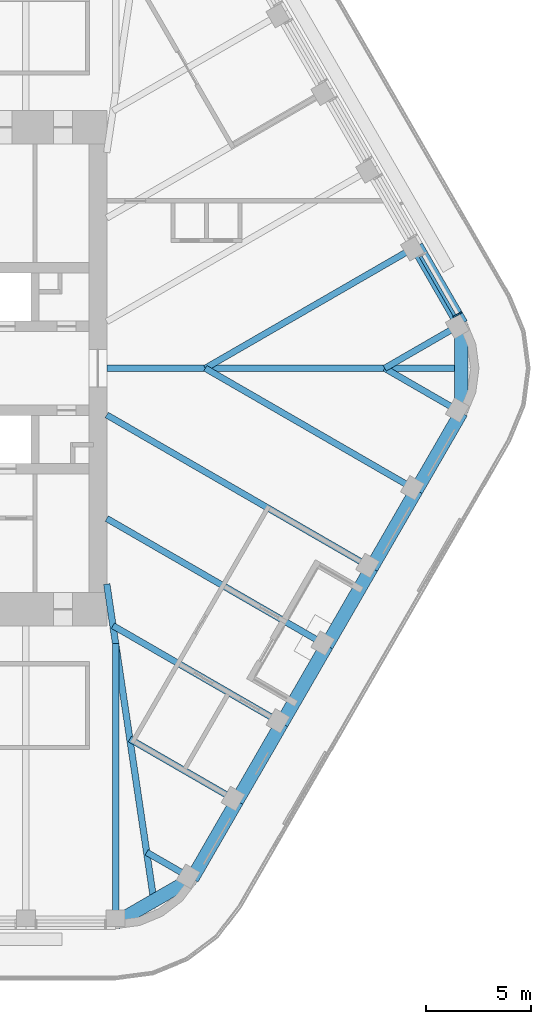
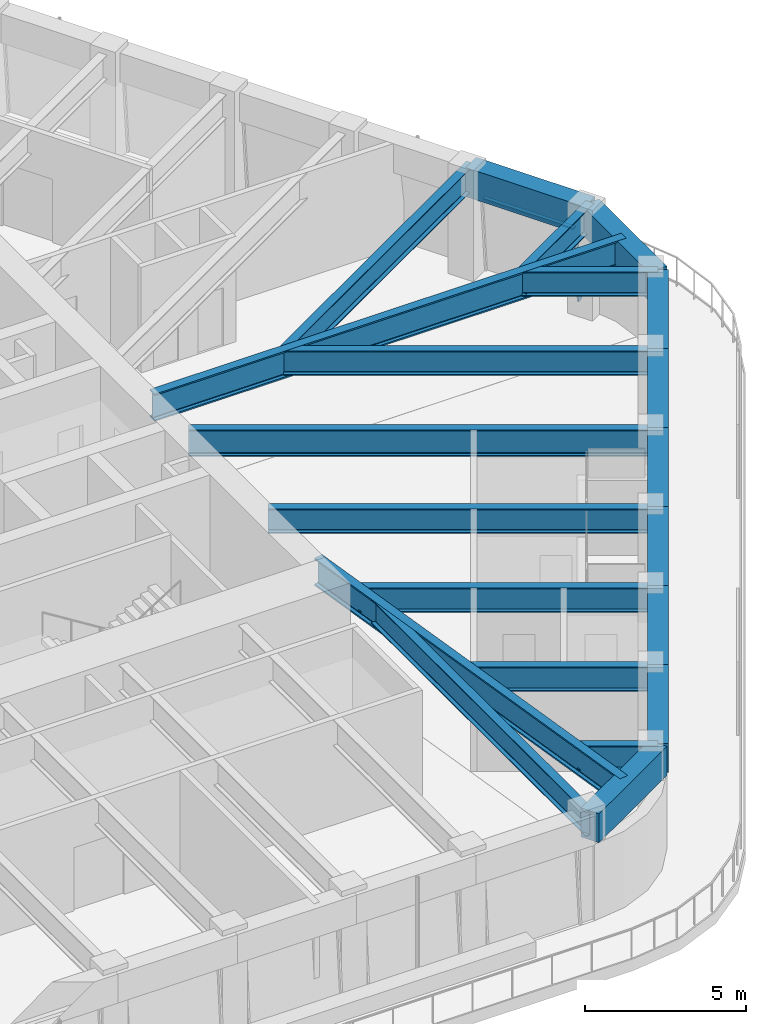
# One storey, part 5 of 19: 21 beams, 2 members, 1 element without a shape of its own.
"""IFC4 building model written with IfcOpenShell, lengths in metres."""

from ifc_helpers import new_model, si_unit, direction, frame, origin, origin_2d, place, context, subcontext, project, spatial, rectangle, i_section, extrude, material, material_profile, profile_set, type_object, element, aggregate, save


model = new_model("IFC4")

# Units and contexts
model_context = context("Model", 3, precision=1e-05, world=origin(), true_north=direction((0.0, 1.0)))
body_context = subcontext(model_context, "Body", "Model", "MODEL_VIEW")
ifc_project = project(units=[si_unit("LENGTHUNIT", "METRE"), si_unit("AREAUNIT", "SQUARE_METRE"), si_unit("VOLUMEUNIT", "CUBIC_METRE"), si_unit("PLANEANGLEUNIT", "RADIAN"), si_unit("MASSUNIT", "GRAM", prefix="KILO")], contexts=[model_context])

# Site, building, storey
site_placement = place(None, origin())
site = spatial("IfcSite", under=ifc_project, at=site_placement, CompositionType="ELEMENT")
building_placement = place(site_placement, origin())
building = spatial("IfcBuilding", under=site, at=building_placement, Name="Tarfa Lantern Tower", CompositionType="ELEMENT")
storey_placement = place(building_placement, frame((0.0, 0.0, 353.5)))
storey = spatial("IfcBuildingStorey", under=building, at=storey_placement, Name="L80", CompositionType="ELEMENT", Elevation=353.5)

# Curtain wall, members
ifc_material_1 = material(Name="Aluminium framed curtain wall", Category="aluminium")
curtain_wall_type = type_object("IfcCurtainWallType", Name="CW4 CANTED GLAZING EXECUTIVE ZONE 2900", PredefinedType="USERDEFINED", material=ifc_material_1)
curtain_wall_placement = place(storey_placement, origin())
curtain_wall = element("IfcCurtainWall", 1, at=curtain_wall_placement, inside=storey, type_object=curtain_wall_type, Name="CW4 NE L80", ObjectType="CURTAIN WALL", PredefinedType="USERDEFINED")
ifc_material_2 = material(Name="Aluminium mullion", Category="aluminium")
ifc_material_profile_1 = material_profile(ifc_material_2, rectangle(XDim=0.06494140625, YDim=0.199951171875, at=origin_2d()), Name="AL MULLION 65x200")
ifc_profile_set_1 = profile_set([ifc_material_profile_1], Name="Aluminium mullion")
member_type_1 = type_object("IfcMemberType", Name="CWM1 MULLION 65x200", PredefinedType="MULLION", material=ifc_profile_set_1)
member_1_placement = place(storey_placement, frame((29.26123046875, 2.617919921875, 0.0), z_axis=(-0.074316405553, -0.042945823525, 0.996309554359), x_axis=(0.500342721131, -0.865827443207, 0.0)))
member_1 = element("IfcMember", 2, at=member_1_placement, type_object=member_type_1, Name="CW4 mullion 1", PredefinedType="MULLION", context=body_context, shape_type="SweptSolid", body=[
    extrude(rectangle(XDim=0.06494140625, YDim=0.199951171875, at=origin_2d()), origin(), (0.0, 0.0, 1.0), 2.91064453125),
])
ifc_material_3 = material(Name="Aluminium transom", Category="aluminium")
ifc_material_profile_2 = material_profile(ifc_material_3, rectangle(XDim=0.14990234375, YDim=0.06494140625, at=origin_2d()), Name="AL TRANSOM 150x65")
ifc_profile_set_2 = profile_set([ifc_material_profile_2], Name="Aluminium transom")
member_type_2 = type_object("IfcMemberType", Name="CWT1 TRANSOM 150x65", PredefinedType="USERDEFINED", material=ifc_profile_set_2)
member_2_placement = place(storey_placement, frame((29.031005859375, 2.5224609375, 2.867431640625), z_axis=(-0.500014901547, 0.866016800201, 0.0), x_axis=(-0.866016800201, -0.500014901547, 0.0)))
member_2 = element("IfcMember", 3, at=member_2_placement, type_object=member_type_2, Name="CW4 transom 1.2", ObjectType="TRANSOM", PredefinedType="USERDEFINED", context=body_context, shape_type="SweptSolid", body=[
    extrude(rectangle(XDim=0.14990234375, YDim=0.06494140625, at=origin_2d()), origin(), (0.0, 0.0, 1.0), 3.251953125),
])
aggregate(curtain_wall, [member_1, member_2])

# Beams
ifc_material_4 = material(Name="Concrete C80/95", Category="concrete")
ifc_material_profile_3 = material_profile(ifc_material_4, rectangle(XDim=0.64990234375, YDim=1.10009765625, at=origin_2d()), Name="RC 650x1100")
ifc_profile_set_3 = profile_set([ifc_material_profile_3], Name="Concrete C80/95")
beam_type_1 = type_object("IfcBeamType", Name="EB4 RC 650x1100", PredefinedType="SPANDREL", material=ifc_profile_set_3)
beam_1_placement = place(storey_placement, frame((29.3466796875, 2.110107421875, 3.449951171875), z_axis=(-0.499984039138, 0.866034618596, 0.0), x_axis=(-0.866034618596, -0.499984039138, 0.0)))
element("IfcBeam", 4, at=beam_1_placement, inside=storey, type_object=beam_type_1, Name="Edge beam NE0", PredefinedType="SPANDREL", context=body_context, shape_type="SweptSolid", body=[
    extrude(rectangle(XDim=0.64990234375, YDim=1.10009765625, at=origin_2d()), origin(), (0.0, 0.0, 1.0), 4.281982421875),
])
beam_2_placement = place(storey_placement, frame((12.845947265625, -26.469970703125, 3.449951171875), z_axis=(0.866048788483, 0.499959494327, 0.0), x_axis=(-0.499959494327, 0.866048788483, 0.0)))
element("IfcBeam", 5, at=beam_2_placement, inside=storey, type_object=beam_type_1, Name="Edge beam S6", PredefinedType="SPANDREL", context=body_context, shape_type="SweptSolid", body=[
    extrude(rectangle(XDim=0.64990234375, YDim=1.10009765625, at=origin_2d()), origin(), (0.0, 0.0, 1.0), 4.219970703125),
])
for number, where, z_axis, x_axis, name in (
    (6, (16.500732421875, -24.360107421875, 3.449951171875), (0.499959351497, 0.866048870937, 0.0), (-0.866048870937, 0.499959351497, 0.0), "Edge beam SE0"),
    (7, (18.6416015625, -20.651611328125, 3.449951171875), (0.500026801138, 0.866009929587, 0.0), (-0.866009929587, 0.500026801138, 0.0), "Edge beam SE1"),
    (8, (20.78271484375, -16.943359375, 3.449951171875), (0.499984039138, 0.866034618596, 0.0), (-0.866034618596, 0.499984039138, 0.0), "Edge beam SE2"),
):
    element("IfcBeam", number, at=place(storey_placement, frame(where, z_axis=z_axis, x_axis=x_axis)), inside=storey, type_object=beam_type_1, Name=name, PredefinedType="SPANDREL", context=body_context, shape_type="SweptSolid", body=[
        extrude(rectangle(XDim=0.64990234375, YDim=1.10009765625, at=origin_2d()), origin(), (0.0, 0.0, 1.0), 4.281982421875),
    ])
beam_3_placement = place(storey_placement, frame((22.923583984375, -13.235107421875, 3.449951171875), z_axis=(0.500002112793, 0.866024183959, 0.0), x_axis=(-0.866024183959, 0.500002112793, 0.0)))
element("IfcBeam", 9, at=beam_3_placement, inside=storey, type_object=beam_type_1, Name="Edge beam SE3", PredefinedType="SPANDREL", context=body_context, shape_type="SweptSolid", body=[
    extrude(rectangle(XDim=0.64990234375, YDim=1.10009765625, at=origin_2d()), origin(), (0.0, 0.0, 1.0), 4.2822265625),
])
for number, where, z_axis, x_axis, name in (
    (10, (25.064697265625, -9.526611328125, 3.449951171875), (0.500026801138, 0.866009929587, 0.0), (-0.866009929587, 0.500026801138, 0.0), "Edge beam SE4"),
    (11, (27.205810546875, -5.818359375, 3.449951171875), (0.499984039138, 0.866034618596, 0.0), (-0.866034618596, 0.499984039138, 0.0), "Edge beam SE5"),
):
    element("IfcBeam", number, at=place(storey_placement, frame(where, z_axis=z_axis, x_axis=x_axis)), inside=storey, type_object=beam_type_1, Name=name, PredefinedType="SPANDREL", context=body_context, shape_type="SweptSolid", body=[
        extrude(rectangle(XDim=0.64990234375, YDim=1.10009765625, at=origin_2d()), origin(), (0.0, 0.0, 1.0), 4.281982421875),
    ])
beam_4_placement = place(storey_placement, frame((29.3466796875, -2.110107421875, 3.449951171875), z_axis=(0.0, 1.0, 0.0), x_axis=(-1.0, 0.0, 0.0)))
element("IfcBeam", 12, at=beam_4_placement, inside=storey, type_object=beam_type_1, Name="Edge beam SE6", PredefinedType="SPANDREL", context=body_context, shape_type="SweptSolid", body=[
    extrude(rectangle(XDim=0.64990234375, YDim=1.10009765625, at=origin_2d()), origin(), (0.0, 0.0, 1.0), 4.22021484375),
])
ifc_material_5 = material(Name="Steel S460M", Category="steel")
ifc_material_profile_4 = material_profile(ifc_material_5, i_section(OverallWidth=0.302001953125, OverallDepth=1.008056640625, WebThickness=0.02099609375, FlangeThickness=0.0400390625, FilletRadius=0.030029296875, at=origin_2d()), Name="UB1016x305x349")
ifc_profile_set_4 = profile_set([ifc_material_profile_4], Name="Steel S460M")
beam_type_2 = type_object("IfcBeamType", Name="UB1016x305x349", PredefinedType="BEAM", material=ifc_profile_set_4)
beam_5_placement = place(storey_placement, frame((25.064697265625, -9.526611328125, 3.495849609375), z_axis=(-0.866029591389, 0.499992746786, 0.0), x_axis=(-0.499992746786, -0.866029591389, 0.0)))
element("IfcBeam", 13, at=beam_5_placement, inside=storey, type_object=beam_type_2, Name="Floor beam SE4", PredefinedType="BEAM", context=body_context, shape_type="SweptSolid", body=[
    extrude(i_section(OverallWidth=0.302001953125, OverallDepth=1.008056640625, WebThickness=0.02099609375, FlangeThickness=0.0400390625, FilletRadius=0.030029296875, at=origin_2d()), origin(), (0.0, 0.0, 1.0), 14.594970703125),
])
ifc_material_profile_5 = material_profile(ifc_material_5, i_section(OverallWidth=0.30859375, OverallDepth=1.036376953125, WebThickness=0.030029296875, FlangeThickness=0.05419921875, FilletRadius=0.030029296875, at=origin_2d()), Name="UB1016x305x487")
ifc_profile_set_5 = profile_set([ifc_material_profile_5], Name="Steel S460M")
beam_type_3 = type_object("IfcBeamType", Name="UB1016x305x487", PredefinedType="BEAM", material=ifc_profile_set_5)
beam_6_placement = place(storey_placement, frame((12.425048828125, 0.0, 3.48193359375), z_axis=(1.0, 0.0, 0.0), x_axis=(0.0, 1.0, 0.0)))
element("IfcBeam", 14, at=beam_6_placement, inside=storey, type_object=beam_type_3, Name="Hip girder E", PredefinedType="BEAM", context=body_context, shape_type="SweptSolid", body=[
    extrude(i_section(OverallWidth=0.30859375, OverallDepth=1.036376953125, WebThickness=0.030029296875, FlangeThickness=0.05419921875, FilletRadius=0.030029296875, at=origin_2d()), origin(), (0.0, 0.0, 1.0), 16.921630859375),
])
beam_7_placement = place(storey_placement, frame((12.425048828125, -10.300048828125, 3.48193359375), z_axis=(0.147127069073, -0.989117599452, 0.0), x_axis=(0.989117599452, 0.147127069073, 0.0)))
element("IfcBeam", 15, at=beam_7_placement, inside=storey, type_object=beam_type_3, Name="Hip girder SE", PredefinedType="BEAM", context=body_context, shape_type="SweptSolid", body=[
    extrude(i_section(OverallWidth=0.30859375, OverallDepth=1.036376953125, WebThickness=0.030029296875, FlangeThickness=0.05419921875, FilletRadius=0.030029296875, at=origin_2d()), origin(), (0.0, 0.0, 1.0), 15.28125),
])
ifc_material_profile_6 = material_profile(ifc_material_5, i_section(OverallWidth=0.305419921875, OverallDepth=0.91845703125, WebThickness=0.017333984375, FlangeThickness=0.02783203125, FilletRadius=0.01904296875, at=origin_2d()), Name="UB914x305x253")
ifc_profile_set_6 = profile_set([ifc_material_profile_6], Name="Steel S460M")
beam_type_4 = type_object("IfcBeamType", Name="UB914x305x253", PredefinedType="BEAM", material=ifc_profile_set_6)
beam_8_placement = place(storey_placement, frame((29.3466796875, 2.110107421875, 3.540771484375), z_axis=(-0.866009274789, -0.500027935199, 0.0), x_axis=(0.500027935199, -0.866009274789, 0.0)))
element("IfcBeam", 16, at=beam_8_placement, inside=storey, type_object=beam_type_4, Name="Floor beam NE0", PredefinedType="BEAM", context=body_context, shape_type="SweptSolid", body=[
    extrude(i_section(OverallWidth=0.305419921875, OverallDepth=0.91845703125, WebThickness=0.017333984375, FlangeThickness=0.02783203125, FilletRadius=0.01904296875, at=origin_2d()), origin(), (0.0, 0.0, 1.0), 4.219970703125),
])
beam_9_placement = place(storey_placement, frame((27.205810546875, 5.818359375, 3.540771484375), z_axis=(-0.866024171998, -0.500002133511, 0.0), x_axis=(0.500002133511, -0.866024171998, 0.0)))
element("IfcBeam", 17, at=beam_9_placement, inside=storey, type_object=beam_type_4, Name="Floor beam NE1", PredefinedType="BEAM", context=body_context, shape_type="SweptSolid", body=[
    extrude(i_section(OverallWidth=0.305419921875, OverallDepth=0.91845703125, WebThickness=0.017333984375, FlangeThickness=0.02783203125, FilletRadius=0.01904296875, at=origin_2d()), origin(), (0.0, 0.0, 1.0), 11.63671875),
])
beam_10_placement = place(storey_placement, frame((12.845947265625, -26.469970703125, 3.540771484375), z_axis=(0.0, 1.0, 0.0), x_axis=(-1.0, 0.0, 0.0)))
element("IfcBeam", 18, at=beam_10_placement, inside=storey, type_object=beam_type_4, Name="Floor beam S6", PredefinedType="BEAM", context=body_context, shape_type="SweptSolid", body=[
    extrude(i_section(OverallWidth=0.305419921875, OverallDepth=0.91845703125, WebThickness=0.017333984375, FlangeThickness=0.02783203125, FilletRadius=0.01904296875, at=origin_2d()), origin(), (0.0, 0.0, 1.0), 13.33935546875),
])
beam_11_placement = place(storey_placement, frame((16.500732421875, -24.360107421875, 3.540771484375), z_axis=(-0.865992557167, 0.500056887695, 0.0), x_axis=(-0.500056887695, -0.865992557167, 0.0)))
element("IfcBeam", 19, at=beam_11_placement, inside=storey, type_object=beam_type_4, Name="Floor beam SE0", PredefinedType="BEAM", context=body_context, shape_type="SweptSolid", body=[
    extrude(i_section(OverallWidth=0.305419921875, OverallDepth=0.91845703125, WebThickness=0.017333984375, FlangeThickness=0.02783203125, FilletRadius=0.01904296875, at=origin_2d()), origin(), (0.0, 0.0, 1.0), 2.506591796875),
])
beam_12_placement = place(storey_placement, frame((18.6416015625, -20.651611328125, 3.540771484375), z_axis=(-0.866024549157, 0.500001480256, 0.0), x_axis=(-0.500001480256, -0.866024549157, 0.0)))
element("IfcBeam", 20, at=beam_12_placement, inside=storey, type_object=beam_type_4, Name="Floor beam SE1", PredefinedType="BEAM", context=body_context, shape_type="SweptSolid", body=[
    extrude(i_section(OverallWidth=0.305419921875, OverallDepth=0.91845703125, WebThickness=0.017333984375, FlangeThickness=0.02783203125, FilletRadius=0.01904296875, at=origin_2d()), origin(), (0.0, 0.0, 1.0), 5.90771484375),
])
beam_13_placement = place(storey_placement, frame((20.78271484375, -16.943359375, 3.540771484375), z_axis=(-0.866021806508, 0.500006230613, 0.0), x_axis=(-0.500006230613, -0.866021806508, 0.0)))
element("IfcBeam", 21, at=beam_13_placement, inside=storey, type_object=beam_type_4, Name="Floor beam SE2", PredefinedType="BEAM", context=body_context, shape_type="SweptSolid", body=[
    extrude(i_section(OverallWidth=0.305419921875, OverallDepth=0.91845703125, WebThickness=0.017333984375, FlangeThickness=0.02783203125, FilletRadius=0.01904296875, at=origin_2d()), origin(), (0.0, 0.0, 1.0), 9.30908203125),
])
beam_14_placement = place(storey_placement, frame((22.923583984375, -13.235107421875, 3.540771484375), z_axis=(-0.86601856927, 0.500011837539, 0.0), x_axis=(-0.500011837539, -0.86601856927, 0.0)))
element("IfcBeam", 22, at=beam_14_placement, inside=storey, type_object=beam_type_4, Name="Floor beam SE3", PredefinedType="BEAM", context=body_context, shape_type="SweptSolid", body=[
    extrude(i_section(OverallWidth=0.305419921875, OverallDepth=0.91845703125, WebThickness=0.017333984375, FlangeThickness=0.02783203125, FilletRadius=0.01904296875, at=origin_2d()), origin(), (0.0, 0.0, 1.0), 12.122802734375),
])
beam_15_placement = place(storey_placement, frame((27.205810546875, -5.818359375, 3.540771484375), z_axis=(-0.866024171998, 0.500002133511, 0.0), x_axis=(-0.500002133511, -0.866024171998, 0.0)))
element("IfcBeam", 23, at=beam_15_placement, inside=storey, type_object=beam_type_4, Name="Floor beam SE5", PredefinedType="BEAM", context=body_context, shape_type="SweptSolid", body=[
    extrude(i_section(OverallWidth=0.305419921875, OverallDepth=0.91845703125, WebThickness=0.017333984375, FlangeThickness=0.02783203125, FilletRadius=0.01904296875, at=origin_2d()), origin(), (0.0, 0.0, 1.0), 11.63671875),
])
beam_16_placement = place(storey_placement, frame((29.3466796875, -2.110107421875, 3.540771484375), z_axis=(-0.866009274789, 0.500027935199, 0.0), x_axis=(-0.500027935199, -0.866009274789, 0.0)))
element("IfcBeam", 24, at=beam_16_placement, inside=storey, type_object=beam_type_4, Name="Floor beam SE6", PredefinedType="BEAM", context=body_context, shape_type="SweptSolid", body=[
    extrude(i_section(OverallWidth=0.305419921875, OverallDepth=0.91845703125, WebThickness=0.017333984375, FlangeThickness=0.02783203125, FilletRadius=0.01904296875, at=origin_2d()), origin(), (0.0, 0.0, 1.0), 4.219970703125),
])

save(model, "model.ifc")
